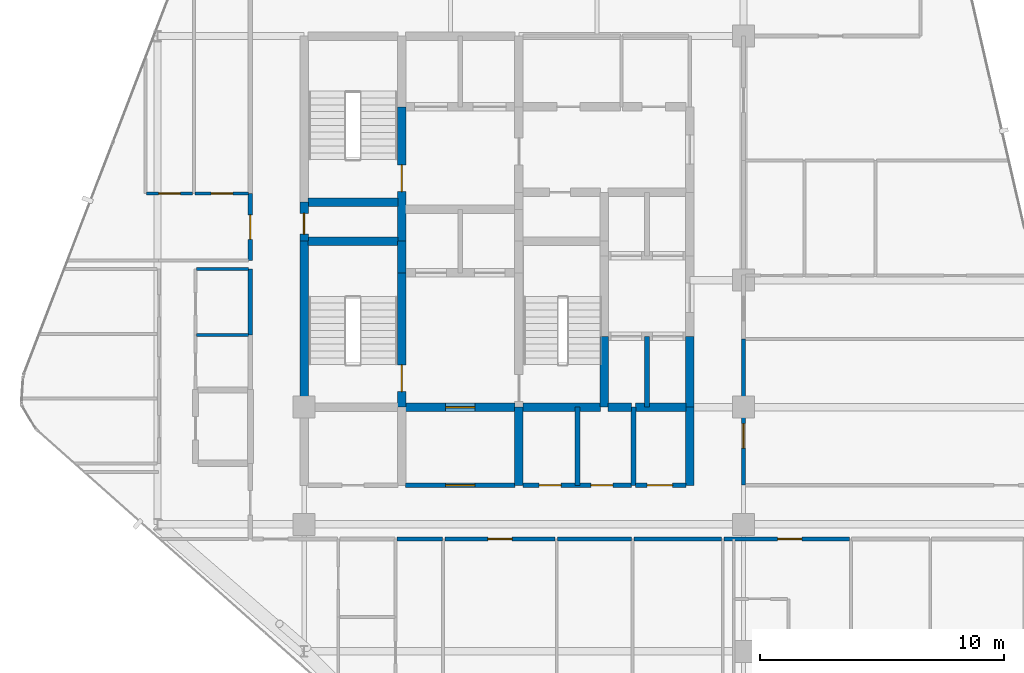
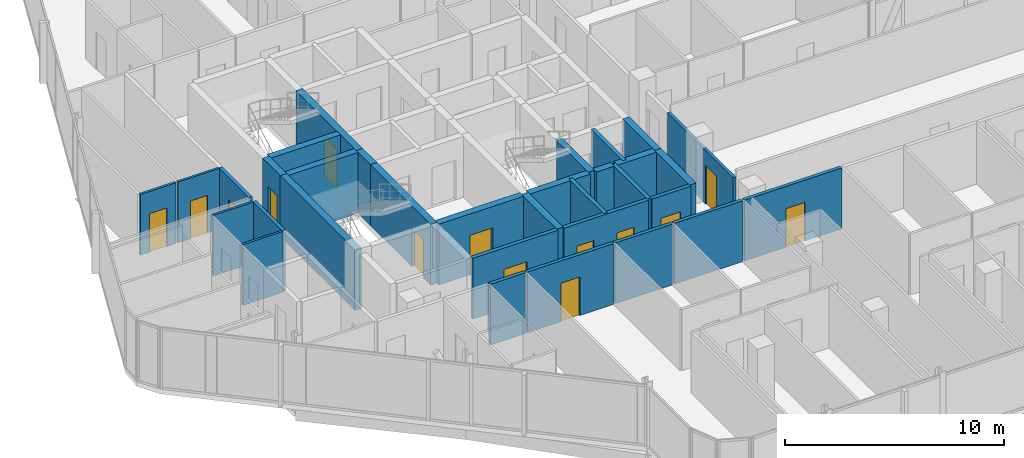
# One storey, part 24 of 29: 33 walls, 14 doors, 14 openings.
"""IFC4 building model written with IfcOpenShell, lengths in metres."""

from ifc_helpers import new_model, si_unit, direction, frame, frame_2d, origin, place, context, subcontext, project, spatial, rectangle, extrude, material, layer, layer_set, type_object, element, fill, save


model = new_model("IFC4")

# Units and contexts
model_context = context("Model", 3, precision=1e-05, world=origin(), true_north=direction((0.0, 1.0)))
body_context = subcontext(model_context, "Body", "Model", "MODEL_VIEW")
ifc_project = project(units=[si_unit("LENGTHUNIT", "METRE"), si_unit("AREAUNIT", "SQUARE_METRE"), si_unit("VOLUMEUNIT", "CUBIC_METRE"), si_unit("PLANEANGLEUNIT", "RADIAN"), si_unit("MASSUNIT", "GRAM", prefix="KILO")], contexts=[model_context])

# Site, building, storey
site_placement = place(None, origin())
site = spatial("IfcSite", under=ifc_project, at=site_placement, CompositionType="ELEMENT")
building_placement = place(site_placement, origin())
building = spatial("IfcBuilding", under=site, at=building_placement, Name="Keshet Zoharim Tower", CompositionType="ELEMENT")
storey_placement = place(building_placement, frame((0.0, 0.0, 172.800048828125)))
storey = spatial("IfcBuildingStorey", under=building, at=storey_placement, Name="L42", CompositionType="ELEMENT", Elevation=172.800048828125)

# Wall, opening, door
ifc_material_1 = material(Name="Gypsum Plasterboard", Category="gypsum")
ifc_layer_1 = layer(ifc_material_1, 0.14990234375)
ifc_layer_set_1 = layer_set([ifc_layer_1], Name="Gypsum Plasterboard")
wall_type_1 = type_object("IfcWallType", Name="WL-CLIN-150", PredefinedType="STANDARD", material=ifc_layer_set_1)
wall_1_placement = place(storey_placement, frame((33.0, 19.510009765625, 0.0), z_axis=(0.0, 0.0, 1.0), x_axis=(0.0, 1.0, 0.0)))
wall_1 = element("IfcWall", 1, at=wall_1_placement, inside=storey, type_object=wall_type_1, Name="L42 Interior Wall 075", PredefinedType="STANDARD", context=body_context, shape_type="SweptSolid", body=[
    extrude(rectangle(XDim=5.989990234375, YDim=0.14990234375, at=frame_2d((2.9951171875, 0.0))), origin(), (0.0, 0.0, 1.0), 2.989990234375),
])
opening_1_placement = place(wall_1_placement, frame((1.512939453125, 0.0, 0.0)))
opening_1 = element("IfcOpeningElement", 2, at=opening_1_placement, cuts=wall_1, Name="Opening D-F310", PredefinedType="OPENING", context=body_context, shape_type="SweptSolid", body=[
    extrude(rectangle(XDim=1.0, YDim=2.14990234375, at=frame_2d((0.5, 1.074951171875))), frame((0.0, 0.0849609375, 0.0), z_axis=(0.0, -1.0, 0.0), x_axis=(1.0, 0.0, 0.0)), (0.0, 0.0, 1.0), 0.169921875),
])
ifc_material_2 = material(Name="Hardwood Timber", Category="wood")
door_type_1 = type_object("IfcDoorType", Name="DR-FD30-100", OperationType="NOTDEFINED", PredefinedType="DOOR", material=ifc_material_2)
door_1_placement = place(opening_1_placement, origin())
door_1 = element("IfcDoor", 3, at=door_1_placement, inside=storey, type_object=door_type_1, Name="L42 South East Residents Services Suite Door 2", OperationType="SINGLE_SWING_RIGHT", OverallHeight=2.14990234375, OverallWidth=1.0, PredefinedType="DOOR", context=body_context, shape_type="SweptSolid", body=[
    extrude(rectangle(XDim=1.0, YDim=2.14990234375, at=frame_2d((0.5, 1.074951171875))), frame((0.0, 0.02490234375, 0.0), z_axis=(0.0, -1.0, 0.0), x_axis=(1.0, 0.0, 0.0)), (0.0, 0.0, 1.0), 0.050048828125),
])
fill(opening_1, door_1)

# Wall
ifc_material_3 = material(Name="Concrete C60/75", Category="concrete")
ifc_layer_2 = layer(ifc_material_3, 0.35009765625)
ifc_layer_set_2 = layer_set([ifc_layer_2], Name="Concrete C60/75")
wall_type_2 = type_object("IfcWallType", Name="WL-CORE-350", PredefinedType="SHEAR", material=ifc_layer_set_2)
wall_2_placement = place(storey_placement, frame((15.0, 22.699951171875, 0.0), z_axis=(0.0, 0.0, 1.0), x_axis=(0.0, 1.0, 0.0)))
element("IfcWall", 4, at=wall_2_placement, inside=storey, type_object=wall_type_2, Name="L42 Core Shear Wall 016", PredefinedType="SHEAR", context=body_context, shape_type="SweptSolid", body=[
    extrude(rectangle(XDim=6.800048828125, YDim=0.35009765625, at=frame_2d((3.39990234375, 0.0))), origin(), (0.0, 0.0, 1.0), 3.389892578125),
])

# Wall, opening, door
wall_3_placement = place(storey_placement, frame((15.0, 29.5, 0.0), z_axis=(0.0, 0.0, 1.0), x_axis=(0.0, 1.0, 0.0)))
wall_3 = element("IfcWall", 5, at=wall_3_placement, inside=storey, type_object=wall_type_2, Name="L42 Core Shear Wall 017", PredefinedType="SHEAR", context=body_context, shape_type="SweptSolid", body=[
    extrude(rectangle(XDim=1.60009765625, YDim=0.35009765625, at=frame_2d((0.800048828125, 0.0))), origin(), (0.0, 0.0, 1.0), 3.389892578125),
])
opening_2_placement = place(wall_3_placement, frame((0.287109375, 0.0, 0.0)))
opening_2 = element("IfcOpeningElement", 6, at=opening_2_placement, cuts=wall_3, Name="Opening D-RS85", PredefinedType="OPENING", context=body_context, shape_type="SweptSolid", body=[
    extrude(rectangle(XDim=0.85009765625, YDim=2.10009765625, at=frame_2d((0.425048828125, 1.050048828125))), frame((0.0, 0.18505859375, 0.0), z_axis=(0.0, -1.0, 0.0), x_axis=(1.0, 0.0, 0.0)), (0.0, 0.0, 1.0), 0.3701171875),
])
door_type_2 = type_object("IfcDoorType", Name="DR-RIS-085", OperationType="NOTDEFINED", PredefinedType="DOOR", material=ifc_material_2)
door_2_placement = place(opening_2_placement, origin())
door_2 = element("IfcDoor", 7, at=door_2_placement, inside=storey, type_object=door_type_2, Name="L42 Electrical Riser Access Cupboard Door", OperationType="SINGLE_SWING_LEFT", OverallHeight=2.10009765625, OverallWidth=0.85009765625, PredefinedType="DOOR", context=body_context, shape_type="SweptSolid", body=[
    extrude(rectangle(XDim=0.85009765625, YDim=2.10009765625, at=frame_2d((0.425048828125, 1.050048828125))), frame((0.0, 0.02490234375, 0.0), z_axis=(0.0, -1.0, 0.0), x_axis=(1.0, 0.0, 0.0)), (0.0, 0.0, 1.0), 0.050048828125),
])
fill(opening_2, door_2)

wall_4_placement = place(storey_placement, frame((19.0, 22.699951171875, 0.0), z_axis=(0.0, 0.0, 1.0), x_axis=(0.0, 1.0, 0.0)))
wall_4 = element("IfcWall", 8, at=wall_4_placement, inside=storey, type_object=wall_type_2, Name="L42 Core Shear Wall 027", PredefinedType="SHEAR", context=body_context, shape_type="SweptSolid", body=[
    extrude(rectangle(XDim=5.5, YDim=0.35009765625, at=frame_2d((2.75, 0.0))), origin(), (0.0, 0.0, 1.0), 3.389892578125),
])
opening_3_placement = place(wall_4_placement, frame((0.631103515625, 0.0, 0.0)))
opening_3 = element("IfcOpeningElement", 9, at=opening_3_placement, cuts=wall_4, Name="Opening D-F611", PredefinedType="OPENING", context=body_context, shape_type="SweptSolid", body=[
    extrude(rectangle(XDim=1.10009765625, YDim=2.14990234375, at=frame_2d((0.550048828125, 1.074951171875))), frame((0.0, 0.18505859375, 0.0), z_axis=(0.0, -1.0, 0.0), x_axis=(1.0, 0.0, 0.0)), (0.0, 0.0, 1.0), 0.3701171875),
])
door_type_3 = type_object("IfcDoorType", Name="DR-FD60-110", OperationType="NOTDEFINED", PredefinedType="DOOR", material=ifc_material_2)
door_3_placement = place(opening_3_placement, origin())
door_3 = element("IfcDoor", 10, at=door_3_placement, inside=storey, type_object=door_type_3, Name="L42 Exit Stair ST-01 Fire Door", OperationType="SINGLE_SWING_RIGHT", OverallHeight=2.14990234375, OverallWidth=1.10009765625, PredefinedType="DOOR", context=body_context, shape_type="SweptSolid", body=[
    extrude(rectangle(XDim=1.10009765625, YDim=2.14990234375, at=frame_2d((0.550048828125, 1.074951171875))), frame((0.0, 0.02490234375, 0.0), z_axis=(0.0, -1.0, 0.0), x_axis=(1.0, 0.0, 0.0)), (0.0, 0.0, 1.0), 0.050048828125),
])
fill(opening_3, door_3)

# Wall
wall_5_placement = place(storey_placement, frame((19.0, 28.199951171875, 0.0), z_axis=(0.0, 0.0, 1.0), x_axis=(0.0, 1.0, 0.0)))
element("IfcWall", 11, at=wall_5_placement, inside=storey, type_object=wall_type_2, Name="L42 Core Shear Wall 028", PredefinedType="SHEAR", context=body_context, shape_type="SweptSolid", body=[
    extrude(rectangle(XDim=1.300048828125, YDim=0.35009765625, at=frame_2d((0.64990234375, 0.0))), origin(), (0.0, 0.0, 1.0), 3.389892578125),
])

# Wall, opening, door
wall_6_placement = place(storey_placement, frame((19.0, 29.5, 0.0), z_axis=(0.0, 0.0, 1.0), x_axis=(0.0, 1.0, 0.0)))
wall_6 = element("IfcWall", 12, at=wall_6_placement, inside=storey, type_object=wall_type_2, Name="L42 Core Shear Wall 029", PredefinedType="SHEAR", context=body_context, shape_type="SweptSolid", body=[
    extrude(rectangle(XDim=5.5, YDim=0.35009765625, at=frame_2d((2.75, 0.0))), origin(), (0.0, 0.0, 1.0), 3.389892578125),
])
opening_4_placement = place(wall_6_placement, frame((2.02490234375, 0.0, 0.0)))
opening_4 = element("IfcOpeningElement", 13, at=opening_4_placement, cuts=wall_6, Name="Opening D-F611", PredefinedType="OPENING", context=body_context, shape_type="SweptSolid", body=[
    extrude(rectangle(XDim=1.10009765625, YDim=2.14990234375, at=frame_2d((0.550048828125, 1.074951171875))), frame((0.0, 0.18505859375, 0.0), z_axis=(0.0, -1.0, 0.0), x_axis=(1.0, 0.0, 0.0)), (0.0, 0.0, 1.0), 0.3701171875),
])
door_4_placement = place(opening_4_placement, origin())
door_4 = element("IfcDoor", 14, at=door_4_placement, inside=storey, type_object=door_type_3, Name="L42 Exit Stair ST-02 Fire Door", OperationType="SINGLE_SWING_LEFT", OverallHeight=2.14990234375, OverallWidth=1.10009765625, PredefinedType="DOOR", context=body_context, shape_type="SweptSolid", body=[
    extrude(rectangle(XDim=1.10009765625, YDim=2.14990234375, at=frame_2d((0.550048828125, 1.074951171875))), frame((0.0, 0.02490234375, 0.0), z_axis=(0.0, -1.0, 0.0), x_axis=(1.0, 0.0, 0.0)), (0.0, 0.0, 1.0), 0.050048828125),
])
fill(opening_4, door_4)

# Walls
wall_7_placement = place(storey_placement, frame((23.800048828125, 19.5, 0.0), z_axis=(0.0, 0.0, 1.0), x_axis=(0.0, 1.0, 0.0)))
element("IfcWall", 15, at=wall_7_placement, inside=storey, type_object=wall_type_2, Name="L42 Core Shear Wall 037", PredefinedType="SHEAR", context=body_context, shape_type="SweptSolid", body=[
    extrude(rectangle(XDim=3.199951171875, YDim=0.35009765625, at=frame_2d((1.60009765625, 0.0))), origin(), (0.0, 0.0, 1.0), 3.389892578125),
])
wall_8_placement = place(storey_placement, frame((27.300048828125, 22.699951171875, 0.0), z_axis=(0.0, 0.0, 1.0), x_axis=(0.0, 1.0, 0.0)))
element("IfcWall", 16, at=wall_8_placement, inside=storey, type_object=wall_type_2, Name="L42 Core Shear Wall 051", PredefinedType="SHEAR", context=body_context, shape_type="SweptSolid", body=[
    extrude(rectangle(XDim=2.900146484375, YDim=0.35009765625, at=frame_2d((1.4501953125, 0.0))), origin(), (0.0, 0.0, 1.0), 3.389892578125),
])
wall_9_placement = place(storey_placement, frame((30.800048828125, 19.5, 0.0), z_axis=(0.0, 0.0, 1.0), x_axis=(0.0, 1.0, 0.0)))
element("IfcWall", 17, at=wall_9_placement, inside=storey, type_object=wall_type_2, Name="L42 Core Shear Wall 061", PredefinedType="SHEAR", context=body_context, shape_type="SweptSolid", body=[
    extrude(rectangle(XDim=3.199951171875, YDim=0.35009765625, at=frame_2d((1.60009765625, 0.0))), origin(), (0.0, 0.0, 1.0), 3.389892578125),
])
wall_10_placement = place(storey_placement, frame((30.800048828125, 22.699951171875, 0.0), z_axis=(0.0, 0.0, 1.0), x_axis=(0.0, 1.0, 0.0)))
element("IfcWall", 18, at=wall_10_placement, inside=storey, type_object=wall_type_2, Name="L42 Core Shear Wall 062", PredefinedType="SHEAR", context=body_context, shape_type="SweptSolid", body=[
    extrude(rectangle(XDim=2.900146484375, YDim=0.35009765625, at=frame_2d((1.4501953125, 0.0))), origin(), (0.0, 0.0, 1.0), 3.389892578125),
])

# Wall, opening, door
wall_11_placement = place(storey_placement, frame((19.159912109375, 22.699951171875, 0.0), z_axis=(0.0, 0.0, 1.0), x_axis=(1.0, 0.0, 0.0)))
wall_11 = element("IfcWall", 19, at=wall_11_placement, inside=storey, type_object=wall_type_2, Name="L42 Core Shear Wall 145", PredefinedType="SHEAR", context=body_context, shape_type="SweptSolid", body=[
    extrude(rectangle(XDim=4.47998046875, YDim=0.35009765625, at=frame_2d((2.239990234375, 0.0))), origin(), (0.0, 0.0, 1.0), 3.389892578125),
])
opening_5_placement = place(wall_11_placement, frame((1.639892578125, 0.0, 0.0)))
opening_5 = element("IfcOpeningElement", 20, at=opening_5_placement, cuts=wall_11, Name="Opening D-F612", PredefinedType="OPENING", context=body_context, shape_type="SweptSolid", body=[
    extrude(rectangle(XDim=1.199951171875, YDim=2.199951171875, at=frame_2d((0.60009765625, 1.10009765625))), frame((0.0, 0.18505859375, 0.0), z_axis=(0.0, -1.0, 0.0), x_axis=(1.0, 0.0, 0.0)), (0.0, 0.0, 1.0), 0.3701171875),
])
door_type_4 = type_object("IfcDoorType", Name="DR-FD60-120", OperationType="NOTDEFINED", PredefinedType="DOOR", material=ifc_material_2)
door_5_placement = place(opening_5_placement, origin())
door_5 = element("IfcDoor", 21, at=door_5_placement, inside=storey, type_object=door_type_4, Name="L42 South Core Lobby Fire Door", OperationType="SINGLE_SWING_LEFT", OverallHeight=2.199951171875, OverallWidth=1.199951171875, PredefinedType="DOOR", context=body_context, shape_type="SweptSolid", body=[
    extrude(rectangle(XDim=1.199951171875, YDim=2.199951171875, at=frame_2d((0.60009765625, 1.10009765625))), frame((0.0, 0.02490234375, 0.0), z_axis=(0.0, -1.0, 0.0), x_axis=(1.0, 0.0, 0.0)), (0.0, 0.0, 1.0), 0.050048828125),
])
fill(opening_5, door_5)

# Walls
wall_12_placement = place(storey_placement, frame((23.9599609375, 22.699951171875, 0.0), z_axis=(0.0, 0.0, 1.0), x_axis=(1.0, 0.0, 0.0)))
element("IfcWall", 22, at=wall_12_placement, inside=storey, type_object=wall_type_2, Name="L42 Core Shear Wall 146", PredefinedType="SHEAR", context=body_context, shape_type="SweptSolid", body=[
    extrude(rectangle(XDim=3.179931640625, YDim=0.35009765625, at=frame_2d((1.58984375, 0.0))), origin(), (0.0, 0.0, 1.0), 3.389892578125),
])
wall_13_placement = place(storey_placement, frame((27.4599609375, 22.699951171875, 0.0), z_axis=(0.0, 0.0, 1.0), x_axis=(1.0, 0.0, 0.0)))
element("IfcWall", 23, at=wall_13_placement, inside=storey, type_object=wall_type_2, Name="L42 Core Shear Wall 147", PredefinedType="SHEAR", context=body_context, shape_type="SweptSolid", body=[
    extrude(rectangle(XDim=0.955078125, YDim=0.35009765625, at=frame_2d((0.4775390625, 0.0))), origin(), (0.0, 0.0, 1.0), 3.389892578125),
])
wall_14_placement = place(storey_placement, frame((28.5849609375, 22.699951171875, 0.0), z_axis=(0.0, 0.0, 1.0), x_axis=(1.0, 0.0, 0.0)))
element("IfcWall", 24, at=wall_14_placement, inside=storey, type_object=wall_type_2, Name="L42 Core Shear Wall 148", PredefinedType="SHEAR", context=body_context, shape_type="SweptSolid", body=[
    extrude(rectangle(XDim=2.054931640625, YDim=0.35009765625, at=frame_2d((1.02734375, 0.0))), origin(), (0.0, 0.0, 1.0), 3.389892578125),
])
for number, where, z_axis, x_axis, name in (
    (25, (15.159912109375, 29.5, 0.0), (0.0, 0.0, 1.0), (1.0, 0.0, 0.0), "L42 Core Shear Wall 164"),
    (26, (15.159912109375, 31.10009765625, 0.0), (0.0, 0.0, 1.0), (1.0, 0.0, 0.0), "L42 Core Shear Wall 167"),
):
    element("IfcWall", number, at=place(storey_placement, frame(where, z_axis=z_axis, x_axis=x_axis)), inside=storey, type_object=wall_type_2, Name=name, PredefinedType="SHEAR", context=body_context, shape_type="SweptSolid", body=[
        extrude(rectangle(XDim=3.68017578125, YDim=0.35009765625, at=frame_2d((1.840087890625, 0.0))), origin(), (0.0, 0.0, 1.0), 3.389892578125),
    ])
ifc_layer_3 = layer(ifc_material_1, 0.179931640625)
ifc_layer_set_3 = layer_set([ifc_layer_3], Name="Gypsum Plasterboard")
wall_type_3 = type_object("IfcWallType", Name="WL-CORR-180", PredefinedType="STANDARD", material=ifc_layer_set_3)
wall_15_placement = place(storey_placement, frame((12.800048828125, 25.64697265625, 0.0), z_axis=(0.0, 0.0, 1.0), x_axis=(0.0, 1.0, 0.0)))
element("IfcWall", 27, at=wall_15_placement, inside=storey, type_object=wall_type_3, Name="L42 Interior Wall 010", PredefinedType="STANDARD", context=body_context, shape_type="SweptSolid", body=[
    extrude(rectangle(XDim=2.703125, YDim=0.179931640625, at=frame_2d((1.3515625, 0.0))), origin(), (0.0, 0.0, 1.0), 3.389892578125),
])

# Wall, opening, door
wall_16_placement = place(storey_placement, frame((12.800048828125, 28.699951171875, 0.0), z_axis=(0.0, 0.0, 1.0), x_axis=(0.0, 1.0, 0.0)))
wall_16 = element("IfcWall", 28, at=wall_16_placement, inside=storey, type_object=wall_type_3, Name="L42 Interior Wall 011", PredefinedType="STANDARD", context=body_context, shape_type="SweptSolid", body=[
    extrude(rectangle(XDim=2.75, YDim=0.179931640625, at=frame_2d((1.375, 0.0))), origin(), (0.0, 0.0, 1.0), 3.389892578125),
])
opening_6_placement = place(wall_16_placement, frame((0.875, 0.0, 0.0)))
opening_6 = element("IfcOpeningElement", 29, at=opening_6_placement, cuts=wall_16, Name="Opening D-F310", PredefinedType="OPENING", context=body_context, shape_type="SweptSolid", body=[
    extrude(rectangle(XDim=1.0, YDim=2.14990234375, at=frame_2d((0.5, 1.074951171875))), frame((0.0, 0.10009765625, 0.0), z_axis=(0.0, -1.0, 0.0), x_axis=(1.0, 0.0, 0.0)), (0.0, 0.0, 1.0), 0.199951171875),
])
door_6_placement = place(opening_6_placement, origin())
door_6 = element("IfcDoor", 30, at=door_6_placement, inside=storey, type_object=door_type_1, Name="Apartment 4210 Entrance Door", OperationType="SINGLE_SWING_RIGHT", OverallHeight=2.14990234375, OverallWidth=1.0, PredefinedType="DOOR", context=body_context, shape_type="SweptSolid", body=[
    extrude(rectangle(XDim=1.0, YDim=2.14990234375, at=frame_2d((0.5, 1.074951171875))), frame((0.0, 0.02490234375, 0.0), z_axis=(0.0, -1.0, 0.0), x_axis=(1.0, 0.0, 0.0)), (0.0, 0.0, 1.0), 0.050048828125),
])
fill(opening_6, door_6)

# Wall
wall_17_placement = place(storey_placement, frame((18.81494140625, 17.300048828125, 0.0), z_axis=(0.0, 0.0, 1.0), x_axis=(1.0, 0.0, 0.0)))
element("IfcWall", 31, at=wall_17_placement, inside=storey, type_object=wall_type_3, Name="L42 Interior Wall 124", PredefinedType="STANDARD", context=body_context, shape_type="SweptSolid", body=[
    extrude(rectangle(XDim=1.860107421875, YDim=0.179931640625, at=frame_2d((0.93017578125, 0.0))), origin(), (0.0, 0.0, 1.0), 3.389892578125),
])

# Wall, opening, door
wall_18_placement = place(storey_placement, frame((20.764892578125, 17.300048828125, 0.0), z_axis=(0.0, 0.0, 1.0), x_axis=(1.0, 0.0, 0.0)))
wall_18 = element("IfcWall", 32, at=wall_18_placement, inside=storey, type_object=wall_type_3, Name="L42 Interior Wall 125", PredefinedType="STANDARD", context=body_context, shape_type="SweptSolid", body=[
    extrude(rectangle(XDim=4.52001953125, YDim=0.179931640625, at=frame_2d((2.260009765625, 0.0))), origin(), (0.0, 0.0, 1.0), 3.389892578125),
])
opening_7_placement = place(wall_18_placement, frame((1.760009765625, 0.0, 0.0)))
opening_7 = element("IfcOpeningElement", 33, at=opening_7_placement, cuts=wall_18, Name="Opening D-F310", PredefinedType="OPENING", context=body_context, shape_type="SweptSolid", body=[
    extrude(rectangle(XDim=1.0, YDim=2.14990234375, at=frame_2d((0.5, 1.074951171875))), frame((0.0, 0.10009765625, 0.0), z_axis=(0.0, -1.0, 0.0), x_axis=(1.0, 0.0, 0.0)), (0.0, 0.0, 1.0), 0.199951171875),
])
door_7_placement = place(opening_7_placement, origin())
door_7 = element("IfcDoor", 34, at=door_7_placement, inside=storey, type_object=door_type_1, Name="Apartment 4202 Entrance Door", OperationType="SINGLE_SWING_RIGHT", OverallHeight=2.14990234375, OverallWidth=1.0, PredefinedType="DOOR", context=body_context, shape_type="SweptSolid", body=[
    extrude(rectangle(XDim=1.0, YDim=2.14990234375, at=frame_2d((0.5, 1.074951171875))), frame((0.0, 0.02490234375, 0.0), z_axis=(0.0, -1.0, 0.0), x_axis=(1.0, 0.0, 0.0)), (0.0, 0.0, 1.0), 0.050048828125),
])
fill(opening_7, door_7)

# Walls
wall_19_placement = place(storey_placement, frame((25.375, 17.300048828125, 0.0), z_axis=(0.0, 0.0, 1.0), x_axis=(1.0, 0.0, 0.0)))
element("IfcWall", 35, at=wall_19_placement, inside=storey, type_object=wall_type_3, Name="L42 Interior Wall 126", PredefinedType="STANDARD", context=body_context, shape_type="SweptSolid", body=[
    extrude(rectangle(XDim=3.047119140625, YDim=0.179931640625, at=frame_2d((1.5234375, 0.0))), origin(), (0.0, 0.0, 1.0), 3.389892578125),
])
wall_20_placement = place(storey_placement, frame((28.511962890625, 17.300048828125, 0.0), z_axis=(0.0, 0.0, 1.0), x_axis=(1.0, 0.0, 0.0)))
element("IfcWall", 36, at=wall_20_placement, inside=storey, type_object=wall_type_3, Name="L42 Interior Wall 127", PredefinedType="STANDARD", context=body_context, shape_type="SweptSolid", body=[
    extrude(rectangle(XDim=3.593017578125, YDim=0.179931640625, at=frame_2d((1.79638671875, 0.0))), origin(), (0.0, 0.0, 1.0), 3.389892578125),
])

# Wall, opening, door
wall_21_placement = place(storey_placement, frame((32.195068359375, 17.300048828125, 0.0), z_axis=(0.0, 0.0, 1.0), x_axis=(1.0, 0.0, 0.0)))
wall_21 = element("IfcWall", 37, at=wall_21_placement, inside=storey, type_object=wall_type_3, Name="L42 Interior Wall 128", PredefinedType="STANDARD", context=body_context, shape_type="SweptSolid", body=[
    extrude(rectangle(XDim=5.139892578125, YDim=0.179931640625, at=frame_2d((2.56982421875, 0.0))), origin(), (0.0, 0.0, 1.0), 3.389892578125),
])
opening_8_placement = place(wall_21_placement, frame((2.197998046875, 0.0, 0.0)))
opening_8 = element("IfcOpeningElement", 38, at=opening_8_placement, cuts=wall_21, Name="Opening D-F310", PredefinedType="OPENING", context=body_context, shape_type="SweptSolid", body=[
    extrude(rectangle(XDim=1.0, YDim=2.14990234375, at=frame_2d((0.5, 1.074951171875))), frame((0.0, 0.10009765625, 0.0), z_axis=(0.0, -1.0, 0.0), x_axis=(1.0, 0.0, 0.0)), (0.0, 0.0, 1.0), 0.199951171875),
])
door_8_placement = place(opening_8_placement, origin())
door_8 = element("IfcDoor", 39, at=door_8_placement, inside=storey, type_object=door_type_1, Name="Apartment 4203 Entrance Door", OperationType="SINGLE_SWING_LEFT", OverallHeight=2.14990234375, OverallWidth=1.0, PredefinedType="DOOR", context=body_context, shape_type="SweptSolid", body=[
    extrude(rectangle(XDim=1.0, YDim=2.14990234375, at=frame_2d((0.5, 1.074951171875))), frame((0.0, 0.02490234375, 0.0), z_axis=(0.0, -1.0, 0.0), x_axis=(1.0, 0.0, 0.0)), (0.0, 0.0, 1.0), 0.050048828125),
])
fill(opening_8, door_8)

# Walls
ifc_material_4 = material(Name="Concrete C50/60", Category="concrete")
ifc_layer_4 = layer(ifc_material_4, 0.199951171875)
ifc_layer_set_4 = layer_set([ifc_layer_4], Name="Concrete C50/60")
wall_type_4 = type_object("IfcWallType", Name="WL-FIRE-200", PredefinedType="STANDARD", material=ifc_layer_set_4)
for number, where, z_axis, x_axis, name in (
    (40, (26.199951171875, 19.5, 0.0), (0.0, 0.0, 1.0), (0.0, 1.0, 0.0), "L42 Interior Wall 047"),
    (41, (28.5, 19.5, 0.0), (0.0, 0.0, 1.0), (0.0, 1.0, 0.0), "L42 Interior Wall 057"),
):
    element("IfcWall", number, at=place(storey_placement, frame(where, z_axis=z_axis, x_axis=x_axis)), inside=storey, type_object=wall_type_4, Name=name, PredefinedType="STANDARD", context=body_context, shape_type="SweptSolid", body=[
        extrude(rectangle(XDim=3.199951171875, YDim=0.199951171875, at=frame_2d((1.60009765625, 0.0))), origin(), (0.0, 0.0, 1.0), 3.389892578125),
    ])
wall_22_placement = place(storey_placement, frame((29.050048828125, 22.699951171875, 0.0), z_axis=(0.0, 0.0, 1.0), x_axis=(0.0, 1.0, 0.0)))
element("IfcWall", 42, at=wall_22_placement, inside=storey, type_object=wall_type_4, Name="L42 Interior Wall 059", PredefinedType="STANDARD", context=body_context, shape_type="SweptSolid", body=[
    extrude(rectangle(XDim=2.900146484375, YDim=0.199951171875, at=frame_2d((1.4501953125, 0.0))), origin(), (0.0, 0.0, 1.0), 3.389892578125),
])

# Wall, opening, door
wall_23_placement = place(storey_placement, frame((19.159912109375, 19.5, 0.0), z_axis=(0.0, 0.0, 1.0), x_axis=(1.0, 0.0, 0.0)))
wall_23 = element("IfcWall", 43, at=wall_23_placement, inside=storey, type_object=wall_type_4, Name="L42 Interior Wall 137", PredefinedType="STANDARD", context=body_context, shape_type="SweptSolid", body=[
    extrude(rectangle(XDim=4.47998046875, YDim=0.199951171875, at=frame_2d((2.239990234375, 0.0))), origin(), (0.0, 0.0, 1.0), 3.389892578125),
])
opening_9_placement = place(wall_23_placement, frame((1.639892578125, 0.0, 0.0)))
opening_9 = element("IfcOpeningElement", 44, at=opening_9_placement, cuts=wall_23, Name="Opening D-F612", PredefinedType="OPENING", context=body_context, shape_type="SweptSolid", body=[
    extrude(rectangle(XDim=1.199951171875, YDim=2.199951171875, at=frame_2d((0.60009765625, 1.10009765625))), frame((0.0, 0.10986328125, 0.0), z_axis=(0.0, -1.0, 0.0), x_axis=(1.0, 0.0, 0.0)), (0.0, 0.0, 1.0), 0.219970703125),
])
door_9_placement = place(opening_9_placement, origin())
door_9 = element("IfcDoor", 45, at=door_9_placement, inside=storey, type_object=door_type_4, Name="L42 South Vestibule Corridor Door", OperationType="SINGLE_SWING_RIGHT", OverallHeight=2.199951171875, OverallWidth=1.199951171875, PredefinedType="DOOR", context=body_context, shape_type="SweptSolid", body=[
    extrude(rectangle(XDim=1.199951171875, YDim=2.199951171875, at=frame_2d((0.60009765625, 1.10009765625))), frame((0.0, 0.02490234375, 0.0), z_axis=(0.0, -1.0, 0.0), x_axis=(1.0, 0.0, 0.0)), (0.0, 0.0, 1.0), 0.050048828125),
])
fill(opening_9, door_9)

# Wall, openings, doors
wall_24_placement = place(storey_placement, frame((23.9599609375, 19.5, 0.0), z_axis=(0.0, 0.0, 1.0), x_axis=(1.0, 0.0, 0.0)))
wall_24 = element("IfcWall", 46, at=wall_24_placement, inside=storey, type_object=wall_type_4, Name="L42 Interior Wall 138", PredefinedType="STANDARD", context=body_context, shape_type="SweptSolid", body=[
    extrude(rectangle(XDim=4.455078125, YDim=0.199951171875, at=frame_2d((2.2275390625, 0.0))), origin(), (0.0, 0.0, 1.0), 3.389892578125),
])
opening_10_placement = place(wall_24_placement, frame((0.6650390625, 0.0, 0.0)))
opening_10 = element("IfcOpeningElement", 47, at=opening_10_placement, cuts=wall_24, Name="Opening D-F690", PredefinedType="OPENING", context=body_context, shape_type="SweptSolid", body=[
    extrude(rectangle(XDim=0.89990234375, YDim=2.14990234375, at=frame_2d((0.449951171875, 1.074951171875))), frame((0.0, 0.10986328125, 0.0), z_axis=(0.0, -1.0, 0.0), x_axis=(1.0, 0.0, 0.0)), (0.0, 0.0, 1.0), 0.219970703125),
])
opening_11_placement = place(wall_24_placement, frame((2.791015625, 0.0, 0.0)))
opening_11 = element("IfcOpeningElement", 48, at=opening_11_placement, cuts=wall_24, Name="Opening D-F690", PredefinedType="OPENING", context=body_context, shape_type="SweptSolid", body=[
    extrude(rectangle(XDim=0.89990234375, YDim=2.14990234375, at=frame_2d((0.449951171875, 1.074951171875))), frame((0.0, 0.10986328125, 0.0), z_axis=(0.0, -1.0, 0.0), x_axis=(1.0, 0.0, 0.0)), (0.0, 0.0, 1.0), 0.219970703125),
])
door_type_5 = type_object("IfcDoorType", Name="DR-FD60-090", OperationType="NOTDEFINED", PredefinedType="DOOR", material=ifc_material_2)
door_10_placement = place(opening_10_placement, origin())
door_10 = element("IfcDoor", 49, at=door_10_placement, inside=storey, type_object=door_type_5, Name="L42 Switchgear Room Door", OperationType="SINGLE_SWING_LEFT", OverallHeight=2.14990234375, OverallWidth=0.89990234375, PredefinedType="DOOR", context=body_context, shape_type="SweptSolid", body=[
    extrude(rectangle(XDim=0.89990234375, YDim=2.14990234375, at=frame_2d((0.449951171875, 1.074951171875))), frame((0.0, 0.02490234375, 0.0), z_axis=(0.0, -1.0, 0.0), x_axis=(1.0, 0.0, 0.0)), (0.0, 0.0, 1.0), 0.050048828125),
])
fill(opening_10, door_10)
door_11_placement = place(opening_11_placement, origin())
door_11 = element("IfcDoor", 50, at=door_11_placement, inside=storey, type_object=door_type_5, Name="L42 Telecom Room Door", OperationType="SINGLE_SWING_RIGHT", OverallHeight=2.14990234375, OverallWidth=0.89990234375, PredefinedType="DOOR", context=body_context, shape_type="SweptSolid", body=[
    extrude(rectangle(XDim=0.89990234375, YDim=2.14990234375, at=frame_2d((0.449951171875, 1.074951171875))), frame((0.0, 0.02490234375, 0.0), z_axis=(0.0, -1.0, 0.0), x_axis=(1.0, 0.0, 0.0)), (0.0, 0.0, 1.0), 0.050048828125),
])
fill(opening_11, door_11)

# Wall, opening, door
wall_25_placement = place(storey_placement, frame((28.5849609375, 19.5, 0.0), z_axis=(0.0, 0.0, 1.0), x_axis=(1.0, 0.0, 0.0)))
wall_25 = element("IfcWall", 51, at=wall_25_placement, inside=storey, type_object=wall_type_4, Name="L42 Interior Wall 139", PredefinedType="STANDARD", context=body_context, shape_type="SweptSolid", body=[
    extrude(rectangle(XDim=2.054931640625, YDim=0.199951171875, at=frame_2d((1.02734375, 0.0))), origin(), (0.0, 0.0, 1.0), 3.389892578125),
])
opening_12_placement = place(wall_25_placement, frame((0.466064453125, 0.0, 0.0)))
opening_12 = element("IfcOpeningElement", 52, at=opening_12_placement, cuts=wall_25, Name="Opening D-AC10", PredefinedType="OPENING", context=body_context, shape_type="SweptSolid", body=[
    extrude(rectangle(XDim=1.050048828125, YDim=2.14990234375, at=frame_2d((0.52490234375, 1.074951171875))), frame((0.0, 0.10986328125, 0.0), z_axis=(0.0, -1.0, 0.0), x_axis=(1.0, 0.0, 0.0)), (0.0, 0.0, 1.0), 0.219970703125),
])
door_type_6 = type_object("IfcDoorType", Name="DR-ACC-105", OperationType="NOTDEFINED", PredefinedType="DOOR", material=ifc_material_2)
door_12_placement = place(opening_12_placement, origin())
door_12 = element("IfcDoor", 53, at=door_12_placement, inside=storey, type_object=door_type_6, Name="L42 Accessible WC Door", OperationType="SINGLE_SWING_LEFT", OverallHeight=2.14990234375, OverallWidth=1.050048828125, PredefinedType="DOOR", context=body_context, shape_type="SweptSolid", body=[
    extrude(rectangle(XDim=1.050048828125, YDim=2.14990234375, at=frame_2d((0.52490234375, 1.074951171875))), frame((0.0, 0.02490234375, 0.0), z_axis=(0.0, -1.0, 0.0), x_axis=(1.0, 0.0, 0.0)), (0.0, 0.0, 1.0), 0.050048828125),
])
fill(opening_12, door_12)

# Wall
ifc_layer_5 = layer(ifc_material_1, 0.1201171875)
ifc_layer_set_5 = layer_set([ifc_layer_5], Name="Gypsum Plasterboard")
wall_type_5 = type_object("IfcWallType", Name="WL-PART-120", PredefinedType="PARTITIONING", material=ifc_layer_set_5)
wall_26_placement = place(storey_placement, frame((10.594970703125, 28.35009765625, 0.0), z_axis=(0.0, 0.0, 1.0), x_axis=(1.0, 0.0, 0.0)))
element("IfcWall", 54, at=wall_26_placement, inside=storey, type_object=wall_type_5, Name="L42 Interior Wall 160", PredefinedType="PARTITIONING", context=body_context, shape_type="SweptSolid", body=[
    extrude(rectangle(XDim=2.130126953125, YDim=0.1201171875, at=frame_2d((1.06494140625, 0.0))), origin(), (0.0, 0.0, 1.0), 3.389892578125),
])

# Wall, opening, door
wall_27_placement = place(storey_placement, frame((8.544921875, 31.449951171875, 0.0), z_axis=(0.0, 0.0, 1.0), x_axis=(1.0, 0.0, 0.0)))
wall_27 = element("IfcWall", 55, at=wall_27_placement, inside=storey, type_object=wall_type_5, Name="L42 Interior Wall 168", PredefinedType="PARTITIONING", context=body_context, shape_type="SweptSolid", body=[
    extrude(rectangle(XDim=1.88818359375, YDim=0.1201171875, at=frame_2d((0.944091796875, 0.0))), origin(), (0.0, 0.0, 1.0), 3.389892578125),
])
opening_13_placement = place(wall_27_placement, frame((0.493896484375, 0.0, 0.0)))
opening_13 = element("IfcOpeningElement", 56, at=opening_13_placement, cuts=wall_27, Name="Opening D-IN90", PredefinedType="OPENING", context=body_context, shape_type="SweptSolid", body=[
    extrude(rectangle(XDim=0.89990234375, YDim=2.14990234375, at=frame_2d((0.449951171875, 1.074951171875))), frame((0.0, 0.070068359375, 0.0), z_axis=(0.0, -1.0, 0.0), x_axis=(1.0, 0.0, 0.0)), (0.0, 0.0, 1.0), 0.14013671875),
])
door_type_7 = type_object("IfcDoorType", Name="DR-INT-090", OperationType="NOTDEFINED", PredefinedType="DOOR", material=ifc_material_2)
door_13_placement = place(opening_13_placement, origin())
door_13 = element("IfcDoor", 57, at=door_13_placement, inside=storey, type_object=door_type_7, Name="Apartment 4210 Kitchen Door", OperationType="SINGLE_SWING_LEFT", OverallHeight=2.14990234375, OverallWidth=0.89990234375, PredefinedType="DOOR", context=body_context, shape_type="SweptSolid", body=[
    extrude(rectangle(XDim=0.89990234375, YDim=2.14990234375, at=frame_2d((0.449951171875, 1.074951171875))), frame((0.0, 0.02490234375, 0.0), z_axis=(0.0, -1.0, 0.0), x_axis=(1.0, 0.0, 0.0)), (0.0, 0.0, 1.0), 0.050048828125),
])
fill(opening_13, door_13)

# Wall
ifc_layer_6 = layer(ifc_material_1, 0.1201171875)
ifc_layer_set_6 = layer_set([ifc_layer_6], Name="Gypsum Plasterboard")
wall_type_6 = type_object("IfcWallType", Name="WL-WET-120", PredefinedType="PARTITIONING", material=ifc_layer_set_6)
wall_28_placement = place(storey_placement, frame((10.594970703125, 25.64990234375, 0.0), z_axis=(0.0, 0.0, 1.0), x_axis=(1.0, 0.0, 0.0)))
element("IfcWall", 58, at=wall_28_placement, inside=storey, type_object=wall_type_6, Name="L42 Interior Wall 153", PredefinedType="PARTITIONING", context=body_context, shape_type="SweptSolid", body=[
    extrude(rectangle(XDim=2.130126953125, YDim=0.1201171875, at=frame_2d((1.06494140625, 0.0))), origin(), (0.0, 0.0, 1.0), 3.389892578125),
])

# Wall, opening, door
wall_29_placement = place(storey_placement, frame((10.52294921875, 31.449951171875, 0.0), z_axis=(0.0, 0.0, 1.0), x_axis=(1.0, 0.0, 0.0)))
wall_29 = element("IfcWall", 59, at=wall_29_placement, inside=storey, type_object=wall_type_6, Name="L42 Interior Wall 169", PredefinedType="PARTITIONING", context=body_context, shape_type="SweptSolid", body=[
    extrude(rectangle(XDim=2.2021484375, YDim=0.1201171875, at=frame_2d((1.10107421875, 0.0))), origin(), (0.0, 0.0, 1.0), 3.389892578125),
])
opening_14_placement = place(wall_29_placement, frame((0.666015625, 0.0, 0.0)))
opening_14 = element("IfcOpeningElement", 60, at=opening_14_placement, cuts=wall_29, Name="Opening D-WT90", PredefinedType="OPENING", context=body_context, shape_type="SweptSolid", body=[
    extrude(rectangle(XDim=0.89990234375, YDim=2.10009765625, at=frame_2d((0.449951171875, 1.050048828125))), frame((0.0, 0.070068359375, 0.0), z_axis=(0.0, -1.0, 0.0), x_axis=(1.0, 0.0, 0.0)), (0.0, 0.0, 1.0), 0.14013671875),
])
door_type_8 = type_object("IfcDoorType", Name="DR-WET-090", OperationType="NOTDEFINED", PredefinedType="DOOR", material=ifc_material_2)
door_14_placement = place(opening_14_placement, origin())
door_14 = element("IfcDoor", 61, at=door_14_placement, inside=storey, type_object=door_type_8, Name="Apartment 4210 Bathroom Door", OperationType="SINGLE_SWING_RIGHT", OverallHeight=2.10009765625, OverallWidth=0.89990234375, PredefinedType="DOOR", context=body_context, shape_type="SweptSolid", body=[
    extrude(rectangle(XDim=0.89990234375, YDim=2.10009765625, at=frame_2d((0.449951171875, 1.050048828125))), frame((0.0, 0.02490234375, 0.0), z_axis=(0.0, -1.0, 0.0), x_axis=(1.0, 0.0, 0.0)), (0.0, 0.0, 1.0), 0.050048828125),
])
fill(opening_14, door_14)

save(model, "model.ifc")
